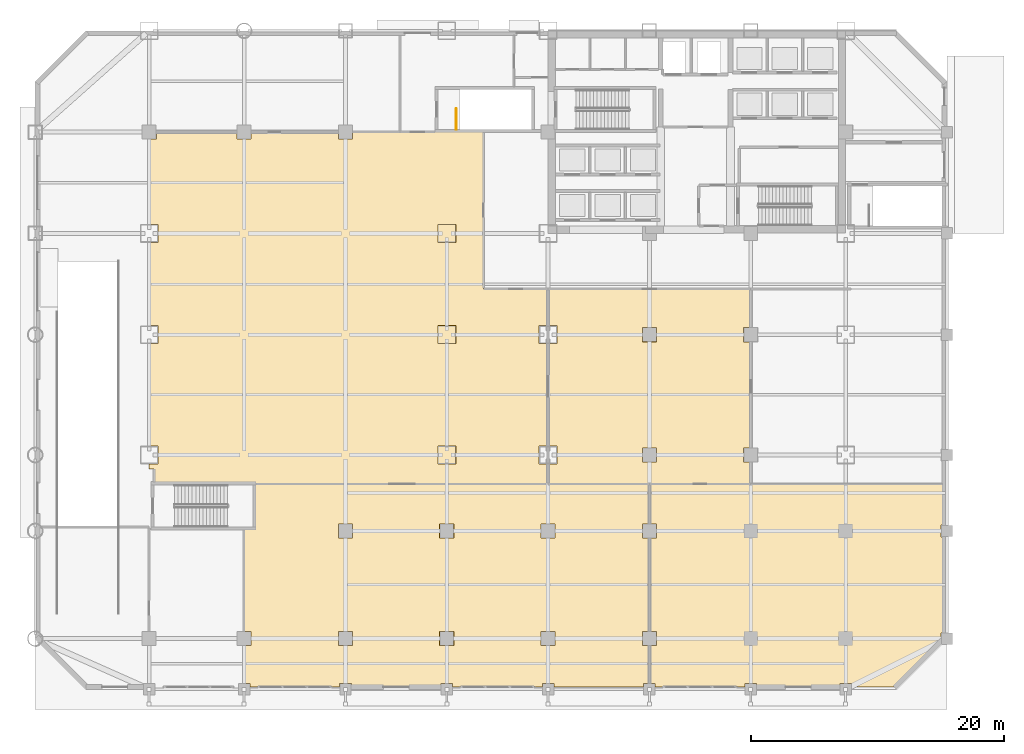
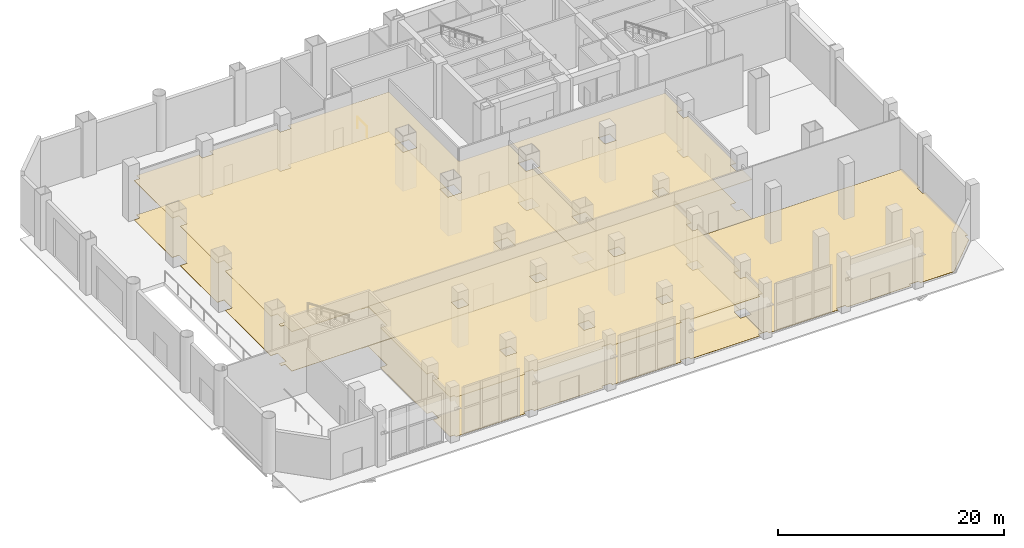
# One storey, part 16 of 19: 7 coverings, 1 railing.
"""IFC4 building model written with IfcOpenShell, lengths in metres."""

from ifc_helpers import new_model, si_unit, direction, frame, origin, origin_2d, place, context, subcontext, project, spatial, polyline, circle, outline, extrude, material, layer, layer_set, type_object, element, save


model = new_model("IFC4")

# Units and contexts
model_context = context("Model", 3, precision=1e-05, world=origin(), true_north=direction((0.0, 1.0)))
body_context = subcontext(model_context, "Body", "Model", "MODEL_VIEW")
ifc_project = project(units=[si_unit("LENGTHUNIT", "METRE"), si_unit("AREAUNIT", "SQUARE_METRE"), si_unit("VOLUMEUNIT", "CUBIC_METRE"), si_unit("PLANEANGLEUNIT", "RADIAN"), si_unit("MASSUNIT", "GRAM", prefix="KILO")], contexts=[model_context])

# Site, building, storey
site_placement = place(None, origin())
site = spatial("IfcSite", under=ifc_project, at=site_placement, CompositionType="ELEMENT")
building_placement = place(site_placement, origin())
building = spatial("IfcBuilding", under=site, at=building_placement, Name="Qianrong Seaharbour Tower", CompositionType="ELEMENT")
storey_placement = place(building_placement, origin())
storey = spatial("IfcBuildingStorey", under=building, at=storey_placement, Name="L01", CompositionType="ELEMENT", Elevation=0.0)

# Coverings
ifc_material_1 = material(Name="Perforated acoustic gypsum ceiling board")
ifc_layer_1 = layer(ifc_material_1, 0.050048828125)
ifc_layer_set_1 = layer_set([ifc_layer_1], Name="Perforated acoustic gypsum ceiling board")
covering_type_1 = type_object("IfcCoveringType", Name="COV-CEIL-GYPSUM-50", PredefinedType="CEILING", material=ifc_layer_set_1)
covering_1_placement = place(storey_placement, frame((0.0, 0.0, 4.25)))
element("IfcCovering", 1, at=covering_1_placement, inside=storey, type_object=covering_type_1, Name="L01 Waterfront Concourse Acoustic Ceiling", PredefinedType="CEILING", context=body_context, shape_type="SweptSolid", body=[
    extrude(outline(polyline([(15.93994140625, 44.0), (15.93994140625, 43.43994140625), (17.06005859375, 43.43994140625), (17.06005859375, 44.0), (23.93994140625, 44.0), (23.93994140625, 43.43994140625), (25.06005859375, 43.43994140625), (25.06005859375, 44.0), (35.39990234375, 44.0), (35.39990234375, 31.60009765625), (40.5, 31.60009765625), (40.5, 28.7099609375), (39.7900390625, 28.7099609375), (39.7900390625, 27.2900390625), (40.5, 27.2900390625), (40.5, 19.2099609375), (39.7900390625, 19.2099609375), (39.7900390625, 17.7900390625), (40.5, 17.7900390625), (40.5, 16.199951171875), (9.39990234375, 16.199951171875), (9.39990234375, 17.39990234375), (9.0, 17.39990234375), (9.0, 17.7900390625), (9.7099609375, 17.7900390625), (9.7099609375, 19.2099609375), (9.0, 19.2099609375), (9.0, 27.2900390625), (9.7099609375, 27.2900390625), (9.7099609375, 28.7099609375), (9.0, 28.7099609375), (9.0, 35.2900390625), (9.7099609375, 35.2900390625), (9.7099609375, 36.7099609375), (9.0, 36.7099609375), (9.0, 43.43994140625), (9.56005859375, 43.43994140625), (9.56005859375, 44.0), (15.93994140625, 44.0)]), holes=[polyline([(31.7900390625, 17.7900390625), (33.2099609375, 17.7900390625), (33.2099609375, 19.2099609375), (31.7900390625, 19.2099609375), (31.7900390625, 17.7900390625)]), polyline([(31.7900390625, 27.2900390625), (33.2099609375, 27.2900390625), (33.2099609375, 28.7099609375), (31.7900390625, 28.7099609375), (31.7900390625, 27.2900390625)]), polyline([(31.7900390625, 35.2900390625), (33.2099609375, 35.2900390625), (33.2099609375, 36.7099609375), (31.7900390625, 36.7099609375), (31.7900390625, 35.2900390625)])]), origin(), (0.0, 0.0, 1.0), 0.050048828125),
])
covering_2_placement = place(storey_placement, frame((0.0, 0.0, 4.25)))
element("IfcCovering", 2, at=covering_2_placement, inside=storey, type_object=covering_type_1, Name="L01 Entrance Lobby Acoustic Ceiling", PredefinedType="CEILING", context=body_context, shape_type="SweptSolid", body=[
    extrude(outline(polyline([(56.5, 31.60009765625), (56.5, 28.56005859375), (55.93994140625, 28.56005859375), (55.93994140625, 27.43994140625), (56.5, 27.43994140625), (56.5, 19.06005859375), (55.93994140625, 19.06005859375), (55.93994140625, 17.93994140625), (56.5, 17.93994140625), (56.5, 16.199951171875), (40.5, 16.199951171875), (40.5, 17.7900390625), (41.2099609375, 17.7900390625), (41.2099609375, 19.2099609375), (40.5, 19.2099609375), (40.5, 27.2900390625), (41.2099609375, 27.2900390625), (41.2099609375, 28.7099609375), (40.5, 28.7099609375), (40.5, 31.60009765625), (56.5, 31.60009765625)]), holes=[polyline([(47.93994140625, 17.93994140625), (49.06005859375, 17.93994140625), (49.06005859375, 19.06005859375), (47.93994140625, 19.06005859375), (47.93994140625, 17.93994140625)]), polyline([(47.93994140625, 27.43994140625), (49.06005859375, 27.43994140625), (49.06005859375, 28.56005859375), (47.93994140625, 28.56005859375), (47.93994140625, 27.43994140625)])]), origin(), (0.0, 0.0, 1.0), 0.050048828125),
])
covering_3_placement = place(storey_placement, frame((0.0, 0.0, 4.25)))
element("IfcCovering", 3, at=covering_3_placement, inside=storey, type_object=covering_type_1, Name="L01 Heritage Exhibition Hall Acoustic Ceiling", PredefinedType="CEILING", context=body_context, shape_type="SweptSolid", body=[
    extrude(outline(polyline([(48.5, 13.06005859375), (47.93994140625, 13.06005859375), (47.93994140625, 11.93994140625), (48.5, 11.93994140625), (48.5, 4.56005859375), (47.93994140625, 4.56005859375), (47.93994140625, 3.43994140625), (48.5, 3.43994140625), (48.5, 0.4599609375), (48.0400390625, 0.4599609375), (48.0400390625, 0.18505859375), (40.9599609375, 0.18505859375), (40.9599609375, 0.4599609375), (40.0400390625, 0.4599609375), (40.0400390625, 0.18505859375), (32.9599609375, 0.18505859375), (32.9599609375, 0.4599609375), (32.0400390625, 0.4599609375), (32.0400390625, 0.18505859375), (24.9599609375, 0.18505859375), (24.9599609375, 0.4599609375), (24.0400390625, 0.4599609375), (24.0400390625, 0.18505859375), (16.9599609375, 0.18505859375), (16.9599609375, 0.4599609375), (16.5, 0.4599609375), (16.5, 3.43994140625), (17.06005859375, 3.43994140625), (17.06005859375, 4.56005859375), (16.5, 4.56005859375), (16.5, 12.800048828125), (17.199951171875, 12.800048828125), (17.199951171875, 16.14990234375), (16.5, 16.14990234375), (16.5, 16.199951171875), (48.5, 16.199951171875), (48.5, 13.06005859375)]), holes=[polyline([(39.93994140625, 3.43994140625), (41.06005859375, 3.43994140625), (41.06005859375, 4.56005859375), (39.93994140625, 4.56005859375), (39.93994140625, 3.43994140625)]), polyline([(39.93994140625, 11.93994140625), (41.06005859375, 11.93994140625), (41.06005859375, 13.06005859375), (39.93994140625, 13.06005859375), (39.93994140625, 11.93994140625)]), polyline([(31.93994140625, 3.43994140625), (33.06005859375, 3.43994140625), (33.06005859375, 4.56005859375), (31.93994140625, 4.56005859375), (31.93994140625, 3.43994140625)]), polyline([(31.93994140625, 11.93994140625), (33.06005859375, 11.93994140625), (33.06005859375, 13.06005859375), (31.93994140625, 13.06005859375), (31.93994140625, 11.93994140625)]), polyline([(23.93994140625, 3.43994140625), (25.06005859375, 3.43994140625), (25.06005859375, 4.56005859375), (23.93994140625, 4.56005859375), (23.93994140625, 3.43994140625)]), polyline([(23.93994140625, 11.93994140625), (25.06005859375, 11.93994140625), (25.06005859375, 13.06005859375), (23.93994140625, 13.06005859375), (23.93994140625, 11.93994140625)])]), origin(), (0.0, 0.0, 1.0), 0.050048828125),
])
ifc_material_2 = material(Name="Acoustic modular carpet tile flooring")
ifc_layer_2 = layer(ifc_material_2, 0.02001953125)
ifc_layer_set_2 = layer_set([ifc_layer_2], Name="Acoustic modular carpet tile flooring")
covering_type_2 = type_object("IfcCoveringType", Name="COV-FLOOR-CARPET-20", PredefinedType="FLOORING", material=ifc_layer_set_2)
covering_4_placement = place(storey_placement, origin())
element("IfcCovering", 4, at=covering_4_placement, inside=storey, type_object=covering_type_2, Name="L01 Heritage Exhibition Hall Finish Flooring", PredefinedType="FLOORING", context=body_context, shape_type="SweptSolid", body=[
    extrude(outline(polyline([(48.5, 13.06005859375), (47.93994140625, 13.06005859375), (47.93994140625, 11.93994140625), (48.5, 11.93994140625), (48.5, 4.56005859375), (47.93994140625, 4.56005859375), (47.93994140625, 3.43994140625), (48.5, 3.43994140625), (48.5, 0.4599609375), (48.0400390625, 0.4599609375), (48.0400390625, 0.18505859375), (40.9599609375, 0.18505859375), (40.9599609375, 0.4599609375), (40.0400390625, 0.4599609375), (40.0400390625, 0.18505859375), (32.9599609375, 0.18505859375), (32.9599609375, 0.4599609375), (32.0400390625, 0.4599609375), (32.0400390625, 0.18505859375), (24.9599609375, 0.18505859375), (24.9599609375, 0.4599609375), (24.0400390625, 0.4599609375), (24.0400390625, 0.18505859375), (16.9599609375, 0.18505859375), (16.9599609375, 0.4599609375), (16.5, 0.4599609375), (16.5, 3.43994140625), (17.06005859375, 3.43994140625), (17.06005859375, 4.56005859375), (16.5, 4.56005859375), (16.5, 12.800048828125), (17.199951171875, 12.800048828125), (17.199951171875, 16.14990234375), (16.5, 16.14990234375), (16.5, 16.199951171875), (48.5, 16.199951171875), (48.5, 13.06005859375)])), origin(), (0.0, 0.0, 1.0), 0.02001953125),
])
ifc_material_3 = material(Name="Honed granite stone flooring", Category="masonry")
ifc_layer_3 = layer(ifc_material_3, 0.030029296875)
ifc_layer_set_3 = layer_set([ifc_layer_3], Name="Honed granite stone flooring")
covering_type_3 = type_object("IfcCoveringType", Name="COV-FLOOR-GRANITE-30", PredefinedType="FLOORING", material=ifc_layer_set_3)
covering_5_placement = place(storey_placement, origin())
element("IfcCovering", 5, at=covering_5_placement, inside=storey, type_object=covering_type_3, Name="L01 Waterfront Concourse Finish Flooring", PredefinedType="FLOORING", context=body_context, shape_type="SweptSolid", body=[
    extrude(outline(polyline([(15.93994140625, 44.0), (15.93994140625, 43.43994140625), (17.06005859375, 43.43994140625), (17.06005859375, 44.0), (23.93994140625, 44.0), (23.93994140625, 43.43994140625), (25.06005859375, 43.43994140625), (25.06005859375, 44.0), (35.39990234375, 44.0), (35.39990234375, 31.60009765625), (40.5, 31.60009765625), (40.5, 28.7099609375), (39.7900390625, 28.7099609375), (39.7900390625, 27.2900390625), (40.5, 27.2900390625), (40.5, 19.2099609375), (39.7900390625, 19.2099609375), (39.7900390625, 17.7900390625), (40.5, 17.7900390625), (40.5, 16.199951171875), (9.39990234375, 16.199951171875), (9.39990234375, 17.39990234375), (9.0, 17.39990234375), (9.0, 17.7900390625), (9.7099609375, 17.7900390625), (9.7099609375, 19.2099609375), (9.0, 19.2099609375), (9.0, 27.2900390625), (9.7099609375, 27.2900390625), (9.7099609375, 28.7099609375), (9.0, 28.7099609375), (9.0, 35.2900390625), (9.7099609375, 35.2900390625), (9.7099609375, 36.7099609375), (9.0, 36.7099609375), (9.0, 43.43994140625), (9.56005859375, 43.43994140625), (9.56005859375, 44.0), (15.93994140625, 44.0)])), origin(), (0.0, 0.0, 1.0), 0.030029296875),
])
covering_6_placement = place(storey_placement, origin())
element("IfcCovering", 6, at=covering_6_placement, inside=storey, type_object=covering_type_3, Name="L01 Entrance Lobby Finish Flooring", PredefinedType="FLOORING", context=body_context, shape_type="SweptSolid", body=[
    extrude(outline(polyline([(56.5, 31.60009765625), (56.5, 28.56005859375), (55.93994140625, 28.56005859375), (55.93994140625, 27.43994140625), (56.5, 27.43994140625), (56.5, 19.06005859375), (55.93994140625, 19.06005859375), (55.93994140625, 17.93994140625), (56.5, 17.93994140625), (56.5, 16.199951171875), (40.5, 16.199951171875), (40.5, 17.7900390625), (41.2099609375, 17.7900390625), (41.2099609375, 19.2099609375), (40.5, 19.2099609375), (40.5, 27.2900390625), (41.2099609375, 27.2900390625), (41.2099609375, 28.7099609375), (40.5, 28.7099609375), (40.5, 31.60009765625), (56.5, 31.60009765625)])), origin(), (0.0, 0.0, 1.0), 0.030029296875),
])
covering_7_placement = place(storey_placement, origin())
element("IfcCovering", 7, at=covering_7_placement, inside=storey, type_object=covering_type_3, Name="L01 Promenade Retail Kiosk Finish Flooring", PredefinedType="FLOORING", context=body_context, shape_type="SweptSolid", body=[
    extrude(outline(polyline([(71.81494140625, 12.9599609375), (71.5400390625, 12.9599609375), (71.5400390625, 12.0400390625), (71.81494140625, 12.0400390625), (71.81494140625, 4.4599609375), (71.5400390625, 4.4599609375), (71.5400390625, 3.801513671875), (67.92333984375, 0.18505859375), (64.4599609375, 0.18505859375), (64.4599609375, 0.4599609375), (63.5400390625, 0.4599609375), (63.5400390625, 0.18505859375), (56.9599609375, 0.18505859375), (56.9599609375, 0.4599609375), (56.0400390625, 0.4599609375), (56.0400390625, 0.18505859375), (48.9599609375, 0.18505859375), (48.9599609375, 0.4599609375), (48.5, 0.4599609375), (48.5, 3.43994140625), (49.06005859375, 3.43994140625), (49.06005859375, 4.56005859375), (48.5, 4.56005859375), (48.5, 11.93994140625), (49.06005859375, 11.93994140625), (49.06005859375, 13.06005859375), (48.5, 13.06005859375), (48.5, 16.199951171875), (71.81494140625, 16.199951171875), (71.81494140625, 12.9599609375)])), origin(), (0.0, 0.0, 1.0), 0.030029296875),
])

# Railing
ifc_material_4 = material(Name="Galvanized painted steel SN400B stair guard", Category="steel")
railing_type = type_object("IfcRailingType", Name="RAIL-STAIR-GUARD-1220", PredefinedType="GUARDRAIL", material=ifc_material_4)
railing_placement = place(storey_placement, frame((33.25, 44.199951171875, 0.0)))
element("IfcRailing", 8, at=railing_placement, inside=storey, type_object=railing_type, Name="L01 BST-1 top well guard 1", PredefinedType="GUARDRAIL", context=body_context, shape_type="SweptSolid", body=[
    extrude(circle(Radius=0.02392578125, at=origin_2d()), frame((0.0, 0.0, 1.19580078125), z_axis=(0.0, 1.0, 0.0), x_axis=(-1.0, 0.0, 0.0)), (0.0, 0.0, 1.0), 1.650146484375),
    extrude(circle(Radius=0.02099609375, at=origin_2d()), origin(), (0.0, 0.0, 1.0), 1.171875),
    extrude(circle(Radius=0.02099609375, at=origin_2d()), frame((0.0, 1.650146484375, 0.0)), (0.0, 0.0, 1.0), 1.171875),
])

save(model, "model.ifc")
